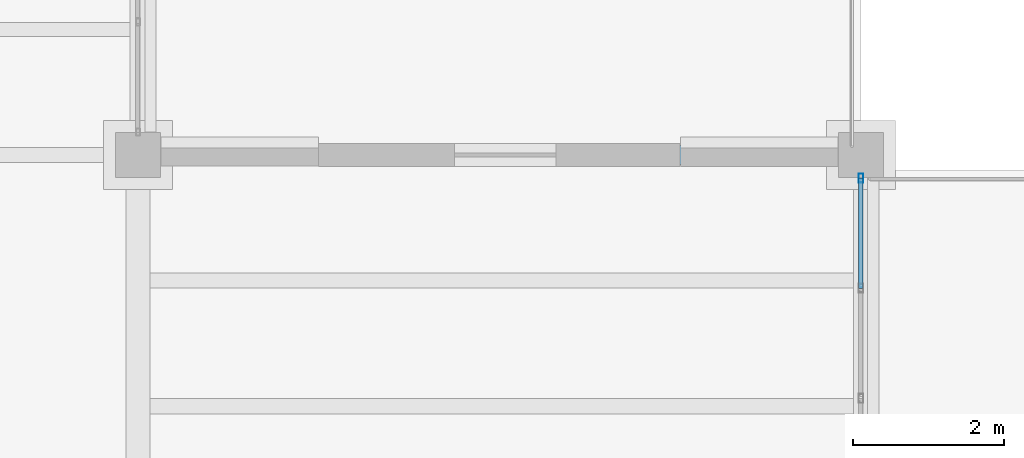
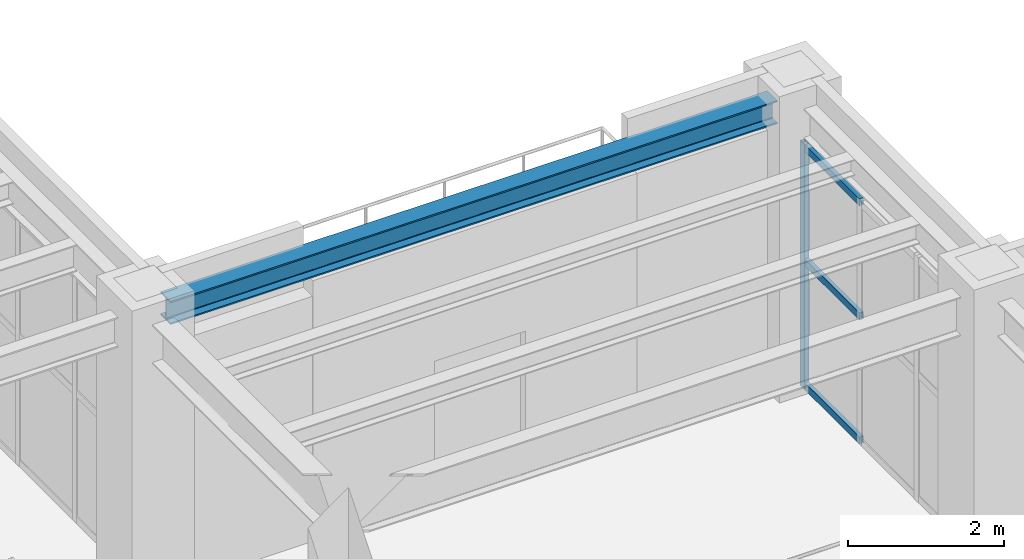
# One storey, part 45 of 83: 4 members, 1 beam, 1 element without a shape of its own.
"""IFC4 building model written with IfcOpenShell, lengths in metres."""

from ifc_helpers import new_model, si_unit, direction, frame, origin, origin_2d, place, context, subcontext, project, spatial, hollow_rectangle, i_section, extrude, material, material_profile, profile_set, type_object, element, aggregate, save


model = new_model("IFC4")

# Units and contexts
model_context = context("Model", 3, precision=1e-05, world=origin(), true_north=direction((0.0, 1.0)))
body_context = subcontext(model_context, "Body", "Model", "MODEL_VIEW")
ifc_project = project(units=[si_unit("LENGTHUNIT", "METRE"), si_unit("AREAUNIT", "SQUARE_METRE"), si_unit("VOLUMEUNIT", "CUBIC_METRE"), si_unit("PLANEANGLEUNIT", "RADIAN"), si_unit("MASSUNIT", "GRAM", prefix="KILO")], contexts=[model_context])

# Site, building, storey
site_placement = place(None, origin())
site = spatial("IfcSite", under=ifc_project, at=site_placement, CompositionType="ELEMENT")
building_placement = place(site_placement, origin())
building = spatial("IfcBuilding", under=site, at=building_placement, Name="Mavantir Sound Aquarium", CompositionType="ELEMENT")
storey_placement = place(building_placement, frame((0.0, 0.0, 10.5)))
storey = spatial("IfcBuildingStorey", under=building, at=storey_placement, Name="L02", CompositionType="ELEMENT", Elevation=10.5)

# Beam
ifc_material_1 = material(Name="Structural Steel ASTM A992 Gr50", Category="steel")
ifc_material_profile_1 = material_profile(ifc_material_1, i_section(OverallWidth=0.257080078125, OverallDepth=0.363037109375, WebThickness=0.012939453125, FlangeThickness=0.021728515625, FilletRadius=0.014892578125, at=origin_2d()), Name="W360X122")
ifc_profile_set_1 = profile_set([ifc_material_profile_1], Name="Structural Steel ASTM A992 Gr50")
beam_type = type_object("IfcBeamType", Name="BM-W360X122-I", PredefinedType="BEAM", material=ifc_profile_set_1)
beam_placement = place(storey_placement, frame((127.5, 80.800048828125, 4.304443359375), z_axis=(1.0, 0.0, 0.0), x_axis=(0.0, 1.0, 0.0)))
element("IfcBeam", 1, at=beam_placement, inside=storey, type_object=beam_type, Name="L02 primary beam SB-36A 1548", PredefinedType="BEAM", context=body_context, shape_type="SweptSolid", body=[
    extrude(i_section(OverallWidth=0.257080078125, OverallDepth=0.363037109375, WebThickness=0.012939453125, FlangeThickness=0.021728515625, FilletRadius=0.014892578125, at=origin_2d()), origin(), (0.0, 0.0, 1.0), 9.0),
])

# Curtain wall, members
ifc_material_2 = material(Name="Anodised Marine Aluminium and Low-E Glass", Category="aluminium")
curtain_wall_type = type_object("IfcCurtainWallType", Name="CW-T10", PredefinedType="USERDEFINED", material=ifc_material_2)
curtain_wall_placement = place(storey_placement, origin())
curtain_wall = element("IfcCurtainWall", 2, at=curtain_wall_placement, inside=storey, type_object=curtain_wall_type, Name="L02 unitised curtain wall CW-10 130", ObjectType="UNITISED GLAZING", PredefinedType="USERDEFINED")
ifc_material_3 = material(Name="Anodised Marine Aluminium 6063-T6", Category="aluminium")
ifc_material_profile_2 = material_profile(ifc_material_3, hollow_rectangle(XDim=0.06494140625, YDim=0.1201171875, WallThickness=0.00390625, at=origin_2d()), Name="ALU-MULLION-120X65")
ifc_profile_set_2 = profile_set([ifc_material_profile_2], Name="Anodised Marine Aluminium 6063-T6")
member_type_1 = type_object("IfcMemberType", Name="CW-MUL-120", PredefinedType="MULLION", material=ifc_profile_set_2)
member_1_placement = place(storey_placement, frame((136.800048828125, 80.491943359375, 0.0), z_axis=(0.0, 0.0, 1.0), x_axis=(1.0, 0.0, 0.0)))
member_1 = element("IfcMember", 3, at=member_1_placement, type_object=member_type_1, Name="CW-L02-130 vertical mullion 4", PredefinedType="MULLION", context=body_context, shape_type="SweptSolid", body=[
    extrude(hollow_rectangle(XDim=0.06494140625, YDim=0.1201171875, WallThickness=0.00390625, at=origin_2d()), origin(), (0.0, 0.0, 1.0), 3.843994140625),
])
ifc_material_profile_3 = material_profile(ifc_material_3, hollow_rectangle(XDim=0.06005859375, YDim=0.110107421875, WallThickness=0.00390625, at=origin_2d()), Name="ALU-TRANSOM-110X60")
ifc_profile_set_3 = profile_set([ifc_material_profile_3], Name="Anodised Marine Aluminium 6063-T6")
member_type_2 = type_object("IfcMemberType", Name="CW-TRN-110", PredefinedType="USERDEFINED", material=ifc_profile_set_3)
member_2_placement = place(storey_placement, frame((136.800048828125, 79.03076171875, 0.054931640625), z_axis=(0.0, 1.0, 0.0), x_axis=(-1.0, 0.0, 0.0)))
member_2 = element("IfcMember", 4, at=member_2_placement, type_object=member_type_2, Name="CW-L02-130 transom 3.1", ObjectType="TRANSOM", PredefinedType="USERDEFINED", context=body_context, shape_type="SweptSolid", body=[
    extrude(hollow_rectangle(XDim=0.06005859375, YDim=0.110107421875, WallThickness=0.00390625, at=origin_2d()), origin(), (0.0, 0.0, 1.0), 1.461181640625),
])
member_3_placement = place(storey_placement, frame((136.800048828125, 79.03076171875, 1.998779296875), z_axis=(0.0, 1.0, 0.0), x_axis=(-1.0, 0.0, 0.0)))
member_3 = element("IfcMember", 5, at=member_3_placement, type_object=member_type_2, Name="CW-L02-130 transom 3.2", ObjectType="TRANSOM", PredefinedType="USERDEFINED", context=body_context, shape_type="SweptSolid", body=[
    extrude(hollow_rectangle(XDim=0.06005859375, YDim=0.110107421875, WallThickness=0.00390625, at=origin_2d()), origin(), (0.0, 0.0, 1.0), 1.461181640625),
])
member_4_placement = place(storey_placement, frame((136.800048828125, 79.03076171875, 3.7890625), z_axis=(0.0, 1.0, 0.0), x_axis=(-1.0, 0.0, 0.0)))
member_4 = element("IfcMember", 6, at=member_4_placement, type_object=member_type_2, Name="CW-L02-130 transom 3.3", ObjectType="TRANSOM", PredefinedType="USERDEFINED", context=body_context, shape_type="SweptSolid", body=[
    extrude(hollow_rectangle(XDim=0.06005859375, YDim=0.110107421875, WallThickness=0.00390625, at=origin_2d()), origin(), (0.0, 0.0, 1.0), 1.461181640625),
])
aggregate(curtain_wall, [member_1, member_2, member_3, member_4])

save(model, "model.ifc")
